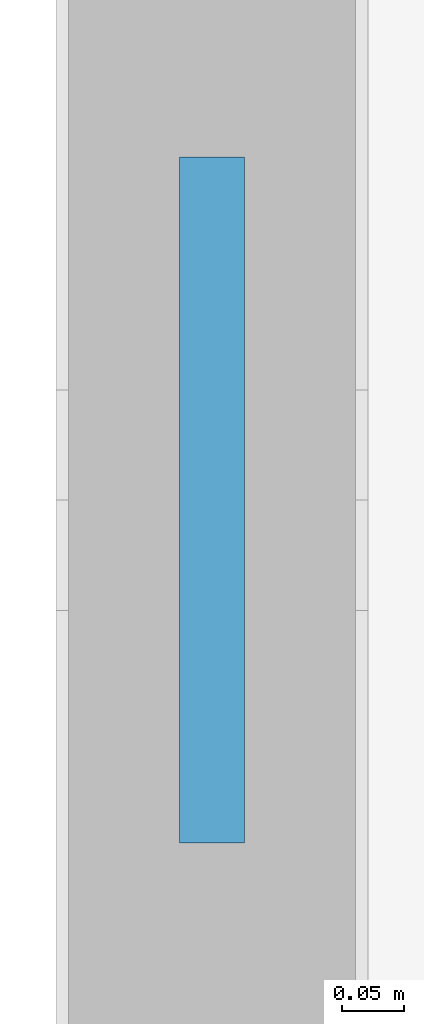
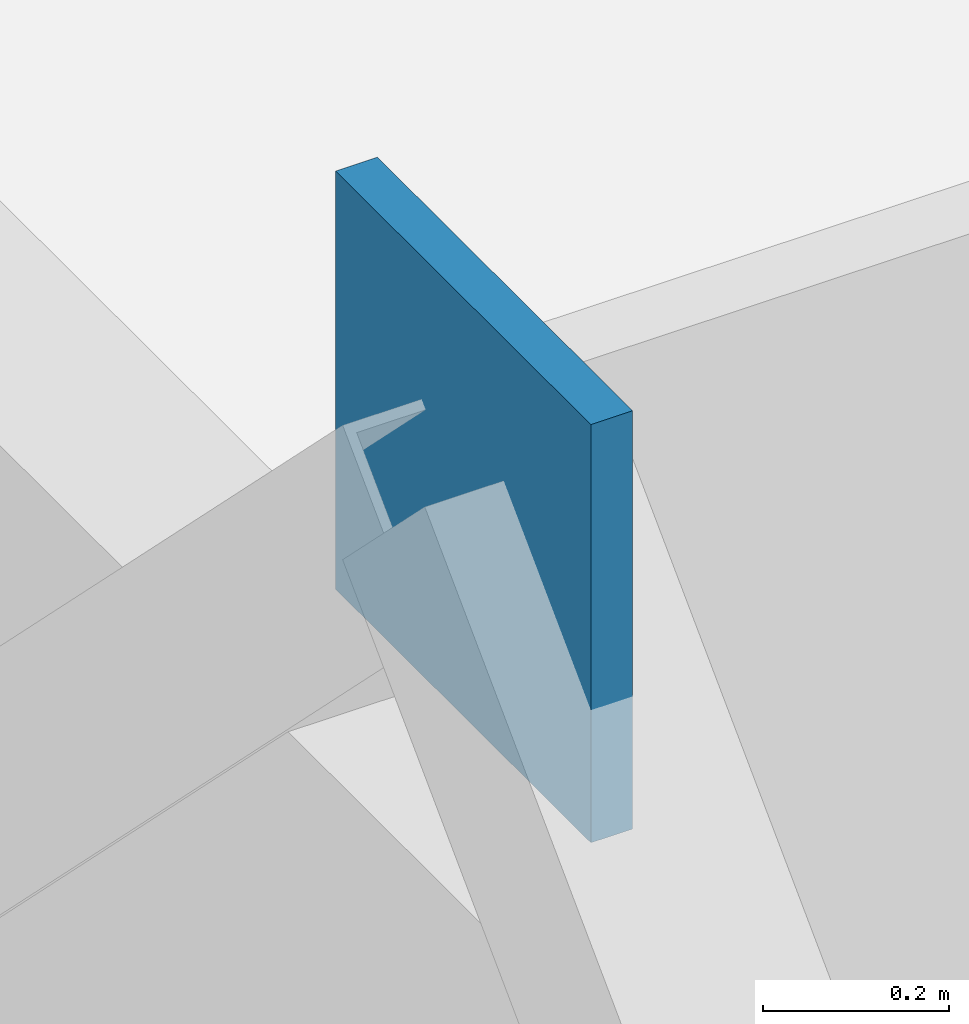
# One storey, part 99 of 144: 1 plate.
"""IFC4 building model written with IfcOpenShell, lengths in metres."""

from ifc_helpers import new_model, si_unit, direction, frame, origin, origin_2d, place, context, subcontext, project, spatial, rectangle, extrude, material, layer, layer_set, type_object, element, save


model = new_model("IFC4")

# Units and contexts
model_context = context("Model", 3, precision=1e-05, world=origin(), true_north=direction((0.0, 1.0)))
body_context = subcontext(model_context, "Body", "Model", "MODEL_VIEW")
ifc_project = project(units=[si_unit("LENGTHUNIT", "METRE"), si_unit("AREAUNIT", "SQUARE_METRE"), si_unit("VOLUMEUNIT", "CUBIC_METRE"), si_unit("PLANEANGLEUNIT", "RADIAN"), si_unit("MASSUNIT", "GRAM", prefix="KILO")], contexts=[model_context])

# Site, building, storey
site_placement = place(None, origin())
site = spatial("IfcSite", under=ifc_project, at=site_placement, CompositionType="ELEMENT")
building_placement = place(site_placement, origin())
building = spatial("IfcBuilding", under=site, at=building_placement, Name="Yarey Park Central Fire Station", CompositionType="ELEMENT")
storey_placement = place(building_placement, frame((0.0, 0.0, 10.199951171875)))
storey = spatial("IfcBuildingStorey", under=building, at=storey_placement, Name="L03", CompositionType="ELEMENT", Elevation=10.199951171875)

# Plate
ifc_material = material(Name="Steel ASTM A572 Gr. 50", Category="steel")
ifc_layer = layer(ifc_material, 0.052001953125)
ifc_layer_set = layer_set([ifc_layer], Name="Steel ASTM A572 Gr. 50")
plate_type = type_object("IfcPlateType", Name="STR_PLT_NODE3", PredefinedType="USERDEFINED", material=ifc_layer_set)
plate_placement = place(storey_placement, frame((115.199951171875, 104.39990234375, 3.375), z_axis=(0.0, 0.0, 1.0), x_axis=(1.0, 0.0, 0.0)))
element("IfcPlate", 1, at=plate_placement, inside=storey, type_object=plate_type, Name="NODE_PLT_V4_L03", ObjectType="GUSSET_PLATE", PredefinedType="USERDEFINED", context=body_context, shape_type="SweptSolid", body=[
    extrude(rectangle(XDim=0.052001953125, YDim=0.550048828125, at=origin_2d()), origin(), (0.0, 0.0, 1.0), 0.550048828125),
])

save(model, "model.ifc")
